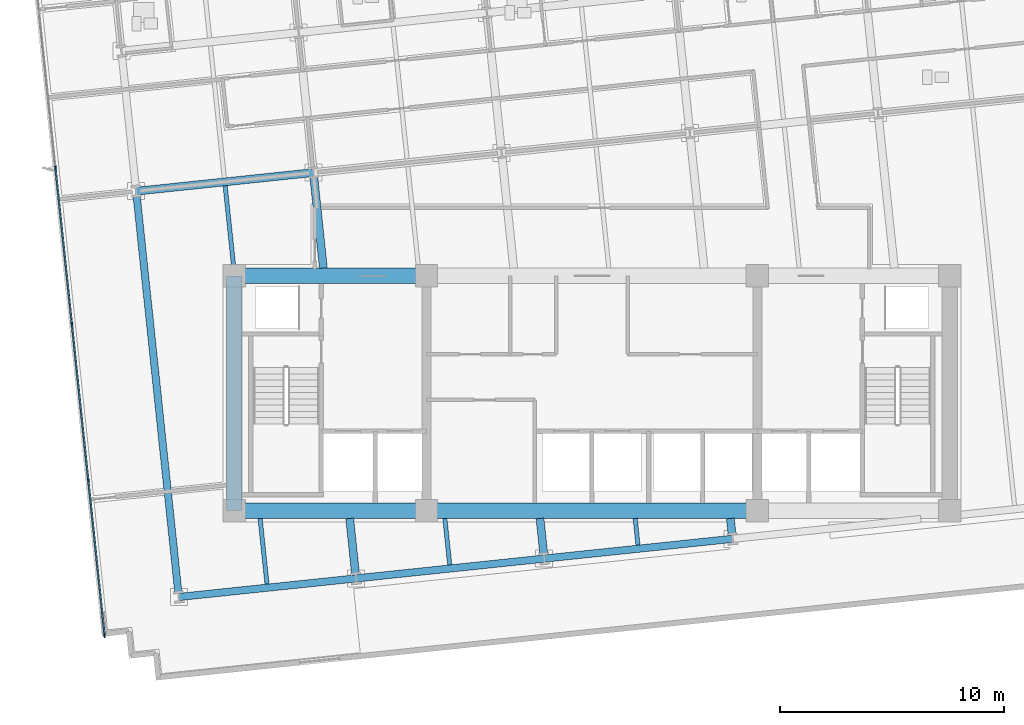
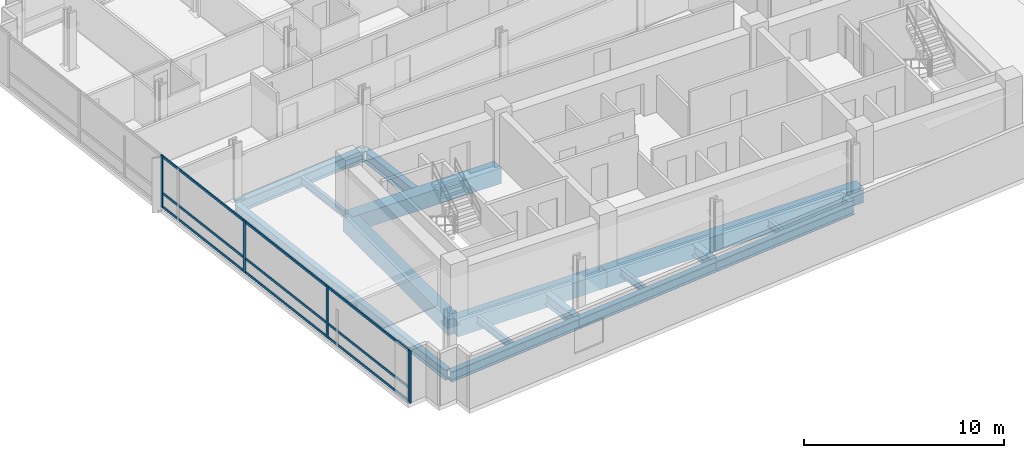
# One storey, part 2 of 17: 17 beams, 13 members, 1 element without a shape of its own.
"""IFC4 building model written with IfcOpenShell, lengths in metres."""

from ifc_helpers import new_model, si_unit, direction, frame, origin, origin_2d, place, context, subcontext, project, spatial, rectangle, i_section, extrude, material, material_profile, profile_set, type_object, element, aggregate, save


model = new_model("IFC4")

# Units and contexts
model_context = context("Model", 3, precision=1e-05, world=origin(), true_north=direction((0.0, 1.0)))
body_context = subcontext(model_context, "Body", "Model", "MODEL_VIEW")
ifc_project = project(units=[si_unit("LENGTHUNIT", "METRE"), si_unit("AREAUNIT", "SQUARE_METRE"), si_unit("VOLUMEUNIT", "CUBIC_METRE"), si_unit("PLANEANGLEUNIT", "RADIAN"), si_unit("MASSUNIT", "GRAM", prefix="KILO")], contexts=[model_context])

# Site, building, storey
site_placement = place(None, origin())
site = spatial("IfcSite", under=ifc_project, at=site_placement, CompositionType="ELEMENT")
building_placement = place(site_placement, origin())
building = spatial("IfcBuilding", under=site, at=building_placement, Name="Solmavex Isthmus Hotel", CompositionType="ELEMENT")
storey_placement = place(building_placement, frame((0.0, 0.0, 116.699951171875)))
storey = spatial("IfcBuildingStorey", under=building, at=storey_placement, Name="L31", CompositionType="ELEMENT", Elevation=116.699951171875)

# Beams
ifc_material_1 = material(Name="Steel ASTM A992 Grade 50", Category="steel")
ifc_material_profile_1 = material_profile(ifc_material_1, i_section(OverallWidth=0.354736328125, OverallDepth=0.695556640625, WebThickness=0.015380859375, FlangeThickness=0.02490234375, FilletRadius=0.017822265625, at=origin_2d()), Name="W27X146")
ifc_profile_set_1 = profile_set([ifc_material_profile_1], Name="Steel ASTM A992 Grade 50")
beam_type_1 = type_object("IfcBeamType", Name="BM-BG-W27X146", PredefinedType="BEAM", material=ifc_profile_set_1)
beam_1_placement = place(storey_placement, frame((-20.383056640625, 1.28564453125, -0.607666015625), z_axis=(0.994520217478, 0.10454442609, 0.0), x_axis=(-0.10454442609, 0.994520217478, 0.0)))
element("IfcBeam", 1, at=beam_1_placement, inside=storey, type_object=beam_type_1, Name="Floor Girder L31-UG07", PredefinedType="BEAM", context=body_context, shape_type="SweptSolid", body=[
    extrude(i_section(OverallWidth=0.354736328125, OverallDepth=0.695556640625, WebThickness=0.015380859375, FlangeThickness=0.02490234375, FilletRadius=0.017822265625, at=origin_2d()), origin(), (0.0, 0.0, 1.0), 7.968017578125),
])
beam_2_placement = place(storey_placement, frame((-10.568115234375, -15.868896484375, -0.607666015625), z_axis=(-0.104589444628, 0.994515484079, 0.0), x_axis=(-0.994515484079, -0.104589444628, 0.0)))
element("IfcBeam", 2, at=beam_2_placement, inside=storey, type_object=beam_type_1, Name="Floor Beam L31-VG28", PredefinedType="BEAM", context=body_context, shape_type="SweptSolid", body=[
    extrude(i_section(OverallWidth=0.354736328125, OverallDepth=0.695556640625, WebThickness=0.015380859375, FlangeThickness=0.02490234375, FilletRadius=0.017822265625, at=origin_2d()), origin(), (0.0, 0.0, 1.0), 2.53271484375),
])
beam_3_placement = place(storey_placement, frame((-12.010009765625, -2.14990234375, -0.607666015625), z_axis=(-0.104548881212, 0.994519749144, 0.0), x_axis=(-0.994519749144, -0.104548881212, 0.0)))
element("IfcBeam", 3, at=beam_3_placement, inside=storey, type_object=beam_type_1, Name="Floor Beam L31-VG29", PredefinedType="BEAM", context=body_context, shape_type="SweptSolid", body=[
    extrude(i_section(OverallWidth=0.354736328125, OverallDepth=0.695556640625, WebThickness=0.015380859375, FlangeThickness=0.02490234375, FilletRadius=0.017822265625, at=origin_2d()), origin(), (0.0, 0.0, 1.0), 4.114501953125),
])
beam_4_placement = place(storey_placement, frame((-2.148681640625, -14.984130859375, -0.607666015625), z_axis=(-0.104460468373, 0.99452903957, 0.0), x_axis=(-0.99452903957, -0.104460468373, 0.0)))
element("IfcBeam", 4, at=beam_4_placement, inside=storey, type_object=beam_type_1, Name="Floor Beam L31-VG32", PredefinedType="BEAM", context=body_context, shape_type="SweptSolid", body=[
    extrude(i_section(OverallWidth=0.354736328125, OverallDepth=0.695556640625, WebThickness=0.015380859375, FlangeThickness=0.02490234375, FilletRadius=0.017822265625, at=origin_2d()), origin(), (0.0, 0.0, 1.0), 1.64306640625),
])
beam_5_placement = place(storey_placement, frame((6.27099609375, -14.09912109375, -0.607666015625), z_axis=(-0.104381041728, 0.99453737895, 0.0), x_axis=(-0.99453737895, -0.104381041728, 0.0)))
element("IfcBeam", 5, at=beam_5_placement, inside=storey, type_object=beam_type_1, Name="Floor Beam L31-VG36", PredefinedType="BEAM", context=body_context, shape_type="SweptSolid", body=[
    extrude(i_section(OverallWidth=0.354736328125, OverallDepth=0.695556640625, WebThickness=0.015380859375, FlangeThickness=0.02490234375, FilletRadius=0.017822265625, at=origin_2d()), origin(), (0.0, 0.0, 1.0), 0.753173828125),
])
ifc_material_profile_2 = material_profile(ifc_material_1, i_section(OverallWidth=0.1904296875, OverallDepth=0.456787109375, WebThickness=0.009033203125, FlangeThickness=0.014404296875, FilletRadius=0.0126953125, at=origin_2d()), Name="W18X50")
ifc_profile_set_2 = profile_set([ifc_material_profile_2], Name="Steel ASTM A992 Grade 50")
beam_type_2 = type_object("IfcBeamType", Name="BM-BJ-W18X50", PredefinedType="JOIST", material=ifc_profile_set_2)
beam_6_placement = place(storey_placement, frame((-14.5302734375, -16.285400390625, -0.48828125), z_axis=(-0.104555607512, 0.994519042019, 0.0), x_axis=(-0.994519042019, -0.104555607512, 0.0)))
element("IfcBeam", 6, at=beam_6_placement, inside=storey, type_object=beam_type_2, Name="Secondary Floor Joist L31-J01", PredefinedType="JOIST", context=body_context, shape_type="SweptSolid", body=[
    extrude(i_section(OverallWidth=0.1904296875, OverallDepth=0.456787109375, WebThickness=0.009033203125, FlangeThickness=0.014404296875, FilletRadius=0.0126953125, at=origin_2d()), origin(), (0.0, 0.0, 1.0), 2.951416015625),
])
beam_7_placement = place(storey_placement, frame((-16.01611328125, -2.14990234375, -0.48828125), z_axis=(-0.104505969986, 0.99452425925, 0.0), x_axis=(-0.99452425925, -0.104505969986, 0.0)))
element("IfcBeam", 7, at=beam_7_placement, inside=storey, type_object=beam_type_2, Name="Secondary Floor Joist L31-J02", PredefinedType="JOIST", context=body_context, shape_type="SweptSolid", body=[
    extrude(i_section(OverallWidth=0.1904296875, OverallDepth=0.456787109375, WebThickness=0.009033203125, FlangeThickness=0.014404296875, FilletRadius=0.0126953125, at=origin_2d()), origin(), (0.0, 0.0, 1.0), 3.69580078125),
])
beam_8_placement = place(storey_placement, frame((-6.3583984375, -15.426513671875, -0.48828125), z_axis=(-0.104538696399, 0.99452081977, 0.0), x_axis=(-0.99452081977, -0.104538696399, 0.0)))
element("IfcBeam", 8, at=beam_8_placement, inside=storey, type_object=beam_type_2, Name="Secondary Floor Joist L31-J05", PredefinedType="JOIST", context=body_context, shape_type="SweptSolid", body=[
    extrude(i_section(OverallWidth=0.1904296875, OverallDepth=0.456787109375, WebThickness=0.009033203125, FlangeThickness=0.014404296875, FilletRadius=0.0126953125, at=origin_2d()), origin(), (0.0, 0.0, 1.0), 2.087890625),
])
beam_9_placement = place(storey_placement, frame((2.061279296875, -14.54150390625, -0.48828125), z_axis=(-0.104546872872, 0.994519960269, 0.0), x_axis=(-0.994519960269, -0.104546872872, 0.0)))
element("IfcBeam", 9, at=beam_9_placement, inside=storey, type_object=beam_type_2, Name="Secondary Floor Joist L31-J09", PredefinedType="JOIST", context=body_context, shape_type="SweptSolid", body=[
    extrude(i_section(OverallWidth=0.1904296875, OverallDepth=0.456787109375, WebThickness=0.009033203125, FlangeThickness=0.014404296875, FilletRadius=0.0126953125, at=origin_2d()), origin(), (0.0, 0.0, 1.0), 1.197998046875),
])
ifc_material_2 = material(Name="Concrete C60/75", Category="concrete")
ifc_material_profile_3 = material_profile(ifc_material_2, rectangle(XDim=0.699951171875, YDim=0.949951171875, at=origin_2d()), Name="RC700X950")
ifc_profile_set_3 = profile_set([ifc_material_profile_3], Name="Concrete C60/75")
beam_type_3 = type_object("IfcBeamType", Name="BM-CB-700X950", PredefinedType="BEAM", material=ifc_profile_set_3)
beam_10_placement = place(storey_placement, frame((-16.0, -13.0, -0.73486328125), z_axis=(1.0, 0.0, 0.0), x_axis=(0.0, 1.0, 0.0)))
element("IfcBeam", 10, at=beam_10_placement, inside=storey, type_object=beam_type_3, Name="Core Coupling Beam L31-CB1", PredefinedType="BEAM", context=body_context, shape_type="SweptSolid", body=[
    extrude(rectangle(XDim=0.699951171875, YDim=0.949951171875, at=origin_2d()), origin(), (0.0, 0.0, 1.0), 8.60009765625),
])
beam_11_placement = place(storey_placement, frame((-7.39990234375, -13.0, -0.73486328125), z_axis=(1.0, 0.0, 0.0), x_axis=(0.0, 1.0, 0.0)))
element("IfcBeam", 11, at=beam_11_placement, inside=storey, type_object=beam_type_3, Name="Core Coupling Beam L31-CB2", PredefinedType="BEAM", context=body_context, shape_type="SweptSolid", body=[
    extrude(rectangle(XDim=0.699951171875, YDim=0.949951171875, at=origin_2d()), origin(), (0.0, 0.0, 1.0), 14.7998046875),
])
beam_12_placement = place(storey_placement, frame((-16.0, -2.5, -0.73486328125), z_axis=(1.0, 0.0, 0.0), x_axis=(0.0, 1.0, 0.0)))
element("IfcBeam", 12, at=beam_12_placement, inside=storey, type_object=beam_type_3, Name="Core Coupling Beam L31-CB4", PredefinedType="BEAM", context=body_context, shape_type="SweptSolid", body=[
    extrude(rectangle(XDim=0.699951171875, YDim=0.949951171875, at=origin_2d()), origin(), (0.0, 0.0, 1.0), 8.60009765625),
])
beam_13_placement = place(storey_placement, frame((-16.0, -13.0, -0.73486328125), z_axis=(0.0, 1.0, 0.0), x_axis=(-1.0, 0.0, 0.0)))
element("IfcBeam", 13, at=beam_13_placement, inside=storey, type_object=beam_type_3, Name="Core Coupling Beam L31-CB7", PredefinedType="BEAM", context=body_context, shape_type="SweptSolid", body=[
    extrude(rectangle(XDim=0.699951171875, YDim=0.949951171875, at=origin_2d()), origin(), (0.0, 0.0, 1.0), 10.5),
])
ifc_material_profile_4 = material_profile(ifc_material_1, i_section(OverallWidth=0.326416015625, OverallDepth=0.621826171875, WebThickness=0.015380859375, FlangeThickness=0.0244140625, FilletRadius=0.01513671875, at=origin_2d()), Name="W24X131")
ifc_profile_set_4 = profile_set([ifc_material_profile_4], Name="Steel ASTM A992 Grade 50")
beam_type_4 = type_object("IfcBeamType", Name="BM-SP-W24X131", PredefinedType="SPANDREL", material=ifc_profile_set_4)
beam_14_placement = place(storey_placement, frame((-18.475341796875, -16.8642578125, -0.57080078125), z_axis=(0.994523402738, 0.104514120609, 0.0), x_axis=(-0.104514120609, 0.994523402738, 0.0)))
element("IfcBeam", 14, at=beam_14_placement, inside=storey, type_object=beam_type_4, Name="Floor Girder L31-UG01", PredefinedType="SPANDREL", context=body_context, shape_type="SweptSolid", body=[
    extrude(i_section(OverallWidth=0.326416015625, OverallDepth=0.621826171875, WebThickness=0.015380859375, FlangeThickness=0.0244140625, FilletRadius=0.01513671875, at=origin_2d()), origin(), (0.0, 0.0, 1.0), 7.968017578125),
])
beam_15_placement = place(storey_placement, frame((-10.551025390625, -16.031494140625, -0.57080078125), z_axis=(0.994520770064, 0.104539169271, 0.0), x_axis=(-0.104539169271, 0.994520770064, 0.0)))
element("IfcBeam", 15, at=beam_15_placement, inside=storey, type_object=beam_type_4, Name="Floor Girder L31-UG02", PredefinedType="SPANDREL", context=body_context, shape_type="SweptSolid", body=[
    extrude(i_section(OverallWidth=0.326416015625, OverallDepth=0.621826171875, WebThickness=0.015380859375, FlangeThickness=0.0244140625, FilletRadius=0.01513671875, at=origin_2d()), origin(), (0.0, 0.0, 1.0), 8.4658203125),
])
beam_16_placement = place(storey_placement, frame((-2.131591796875, -15.146484375, -0.57080078125), z_axis=(0.994521085209, 0.104536171134, 0.0), x_axis=(-0.104536171134, 0.994521085209, 0.0)))
element("IfcBeam", 16, at=beam_16_placement, inside=storey, type_object=beam_type_4, Name="Floor Girder L31-UG03", PredefinedType="SPANDREL", context=body_context, shape_type="SweptSolid", body=[
    extrude(i_section(OverallWidth=0.326416015625, OverallDepth=0.621826171875, WebThickness=0.015380859375, FlangeThickness=0.0244140625, FilletRadius=0.01513671875, at=origin_2d()), origin(), (0.0, 0.0, 1.0), 8.466064453125),
])
beam_17_placement = place(storey_placement, frame((-18.492431640625, -16.701904296875, -0.57080078125), z_axis=(-0.104530088192, 0.99452172458, 0.0), x_axis=(-0.99452172458, -0.104530088192, 0.0)))
element("IfcBeam", 17, at=beam_17_placement, inside=storey, type_object=beam_type_4, Name="Floor Beam L31-VG25", PredefinedType="SPANDREL", context=body_context, shape_type="SweptSolid", body=[
    extrude(i_section(OverallWidth=0.326416015625, OverallDepth=0.621826171875, WebThickness=0.015380859375, FlangeThickness=0.0244140625, FilletRadius=0.01513671875, at=origin_2d()), origin(), (0.0, 0.0, 1.0), 17.909423828125),
])

# Curtain wall, members
ifc_material_3 = material(Name="Aluminium alloy 6063-T6", Category="aluminium")
curtain_wall_type = type_object("IfcCurtainWallType", Name="CW-SYS-03", PredefinedType="NOTDEFINED", material=ifc_material_3)
curtain_wall_placement = place(storey_placement, origin())
curtain_wall = element("IfcCurtainWall", 18, at=curtain_wall_placement, inside=storey, type_object=curtain_wall_type, Name="Stick Curtain Wall CWL-L31-W1", PredefinedType="NOTDEFINED")
ifc_material_profile_5 = material_profile(ifc_material_3, rectangle(XDim=0.070068359375, YDim=0.179931640625, at=origin_2d()), Name="CWM-70X180")
ifc_profile_set_5 = profile_set([ifc_material_profile_5], Name="Aluminium alloy 6063-T6")
member_type_1 = type_object("IfcMemberType", Name="CW-SYS-03-MUL", PredefinedType="MULLION", material=ifc_profile_set_5)
member_1_placement = place(storey_placement, frame((-21.793701171875, -18.585693359375, 0.0), z_axis=(0.0, 0.0, 1.0), x_axis=(-0.994521893044, -0.104528485381, 0.0)))
member_1 = element("IfcMember", 19, at=member_1_placement, type_object=member_type_1, Name="CW-03 mullion 1", PredefinedType="MULLION", context=body_context, shape_type="SweptSolid", body=[
    extrude(rectangle(XDim=0.070068359375, YDim=0.179931640625, at=origin_2d()), origin(), (0.0, 0.0, 1.0), 3.18994140625),
])
member_2_placement = place(storey_placement, frame((-22.52392578125, -11.638916015625, 0.0), z_axis=(0.0, 0.0, 1.0), x_axis=(-0.994521893044, -0.104528485381, 0.0)))
member_2 = element("IfcMember", 20, at=member_2_placement, type_object=member_type_1, Name="CW-03 mullion 2", PredefinedType="MULLION", context=body_context, shape_type="SweptSolid", body=[
    extrude(rectangle(XDim=0.070068359375, YDim=0.179931640625, at=origin_2d()), origin(), (0.0, 0.0, 1.0), 3.18994140625),
])
member_3_placement = place(storey_placement, frame((-23.257568359375, -4.6572265625, 0.0), z_axis=(0.0, 0.0, 1.0), x_axis=(-0.994521893044, -0.104528485381, 0.0)))
member_3 = element("IfcMember", 21, at=member_3_placement, type_object=member_type_1, Name="CW-03 mullion 3", PredefinedType="MULLION", context=body_context, shape_type="SweptSolid", body=[
    extrude(rectangle(XDim=0.070068359375, YDim=0.179931640625, at=origin_2d()), origin(), (0.0, 0.0, 1.0), 3.18994140625),
])
member_4_placement = place(storey_placement, frame((-23.991455078125, 2.32421875, 0.0), z_axis=(0.0, 0.0, 1.0), x_axis=(-0.994521893044, -0.104528485381, 0.0)))
member_4 = element("IfcMember", 22, at=member_4_placement, type_object=member_type_1, Name="CW-03 mullion 4", PredefinedType="MULLION", context=body_context, shape_type="SweptSolid", body=[
    extrude(rectangle(XDim=0.070068359375, YDim=0.179931640625, at=origin_2d()), origin(), (0.0, 0.0, 1.0), 3.18994140625),
])
ifc_material_profile_6 = material_profile(ifc_material_3, rectangle(XDim=0.070068359375, YDim=0.139892578125, at=origin_2d()), Name="CWT-70X140")
ifc_profile_set_6 = profile_set([ifc_material_profile_6], Name="Aluminium alloy 6063-T6")
member_type_2 = type_object("IfcMemberType", Name="CW-SYS-03-TRN", PredefinedType="USERDEFINED", material=ifc_profile_set_6)
member_5_placement = place(storey_placement, frame((-21.79736328125, -18.55078125, 0.070068359375), z_axis=(-0.104539595565, 0.994520725254, 0.0), x_axis=(-0.994520725254, -0.104539595565, 0.0)))
member_5 = element("IfcMember", 23, at=member_5_placement, type_object=member_type_2, Name="CW-03 transom 1.1", ObjectType="TRANSOM", PredefinedType="USERDEFINED", context=body_context, shape_type="SweptSolid", body=[
    extrude(rectangle(XDim=0.070068359375, YDim=0.139892578125, at=origin_2d()), origin(), (0.0, 0.0, 1.0), 6.9150390625),
])
member_6_placement = place(storey_placement, frame((-21.79736328125, -18.55078125, 0.900146484375), z_axis=(-0.104539595565, 0.994520725254, 0.0), x_axis=(-0.994520725254, -0.104539595565, 0.0)))
member_6 = element("IfcMember", 24, at=member_6_placement, type_object=member_type_2, Name="CW-03 transom 1.2", ObjectType="TRANSOM", PredefinedType="USERDEFINED", context=body_context, shape_type="SweptSolid", body=[
    extrude(rectangle(XDim=0.070068359375, YDim=0.139892578125, at=origin_2d()), origin(), (0.0, 0.0, 1.0), 6.9150390625),
])
member_7_placement = place(storey_placement, frame((-21.79736328125, -18.55078125, 3.1201171875), z_axis=(-0.104539595565, 0.994520725254, 0.0), x_axis=(-0.994520725254, -0.104539595565, 0.0)))
member_7 = element("IfcMember", 25, at=member_7_placement, type_object=member_type_2, Name="CW-03 transom 1.3", ObjectType="TRANSOM", PredefinedType="USERDEFINED", context=body_context, shape_type="SweptSolid", body=[
    extrude(rectangle(XDim=0.070068359375, YDim=0.139892578125, at=origin_2d()), origin(), (0.0, 0.0, 1.0), 6.9150390625),
])
member_8_placement = place(storey_placement, frame((-22.527587890625, -11.60400390625, 0.070068359375), z_axis=(-0.104507407784, 0.994524108163, 0.0), x_axis=(-0.994524108163, -0.104507407784, 0.0)))
member_8 = element("IfcMember", 26, at=member_8_placement, type_object=member_type_2, Name="CW-03 transom 2.1", ObjectType="TRANSOM", PredefinedType="USERDEFINED", context=body_context, shape_type="SweptSolid", body=[
    extrude(rectangle(XDim=0.070068359375, YDim=0.139892578125, at=origin_2d()), origin(), (0.0, 0.0, 1.0), 6.949951171875),
])
member_9_placement = place(storey_placement, frame((-22.527587890625, -11.60400390625, 0.900146484375), z_axis=(-0.104507407784, 0.994524108163, 0.0), x_axis=(-0.994524108163, -0.104507407784, 0.0)))
member_9 = element("IfcMember", 27, at=member_9_placement, type_object=member_type_2, Name="CW-03 transom 2.2", ObjectType="TRANSOM", PredefinedType="USERDEFINED", context=body_context, shape_type="SweptSolid", body=[
    extrude(rectangle(XDim=0.070068359375, YDim=0.139892578125, at=origin_2d()), origin(), (0.0, 0.0, 1.0), 6.949951171875),
])
member_10_placement = place(storey_placement, frame((-22.527587890625, -11.60400390625, 3.1201171875), z_axis=(-0.104507407784, 0.994524108163, 0.0), x_axis=(-0.994524108163, -0.104507407784, 0.0)))
member_10 = element("IfcMember", 28, at=member_10_placement, type_object=member_type_2, Name="CW-03 transom 2.3", ObjectType="TRANSOM", PredefinedType="USERDEFINED", context=body_context, shape_type="SweptSolid", body=[
    extrude(rectangle(XDim=0.070068359375, YDim=0.139892578125, at=origin_2d()), origin(), (0.0, 0.0, 1.0), 6.949951171875),
])
member_11_placement = place(storey_placement, frame((-23.26123046875, -4.62255859375, 0.070068359375), z_axis=(-0.104538500317, 0.994520840381, 0.0), x_axis=(-0.994520840381, -0.104538500317, 0.0)))
member_11 = element("IfcMember", 29, at=member_11_placement, type_object=member_type_2, Name="CW-03 transom 3.1", ObjectType="TRANSOM", PredefinedType="USERDEFINED", context=body_context, shape_type="SweptSolid", body=[
    extrude(rectangle(XDim=0.070068359375, YDim=0.139892578125, at=origin_2d()), origin(), (0.0, 0.0, 1.0), 6.9501953125),
])
member_12_placement = place(storey_placement, frame((-23.26123046875, -4.62255859375, 0.900146484375), z_axis=(-0.104538500317, 0.994520840381, 0.0), x_axis=(-0.994520840381, -0.104538500317, 0.0)))
member_12 = element("IfcMember", 30, at=member_12_placement, type_object=member_type_2, Name="CW-03 transom 3.2", ObjectType="TRANSOM", PredefinedType="USERDEFINED", context=body_context, shape_type="SweptSolid", body=[
    extrude(rectangle(XDim=0.070068359375, YDim=0.139892578125, at=origin_2d()), origin(), (0.0, 0.0, 1.0), 6.9501953125),
])
member_13_placement = place(storey_placement, frame((-23.26123046875, -4.62255859375, 3.1201171875), z_axis=(-0.104538500317, 0.994520840381, 0.0), x_axis=(-0.994520840381, -0.104538500317, 0.0)))
member_13 = element("IfcMember", 31, at=member_13_placement, type_object=member_type_2, Name="CW-03 transom 3.3", ObjectType="TRANSOM", PredefinedType="USERDEFINED", context=body_context, shape_type="SweptSolid", body=[
    extrude(rectangle(XDim=0.070068359375, YDim=0.139892578125, at=origin_2d()), origin(), (0.0, 0.0, 1.0), 6.9501953125),
])
aggregate(curtain_wall, [member_1, member_2, member_3, member_4, member_5, member_6, member_7, member_8, member_9, member_10, member_11, member_12, member_13])

save(model, "model.ifc")
